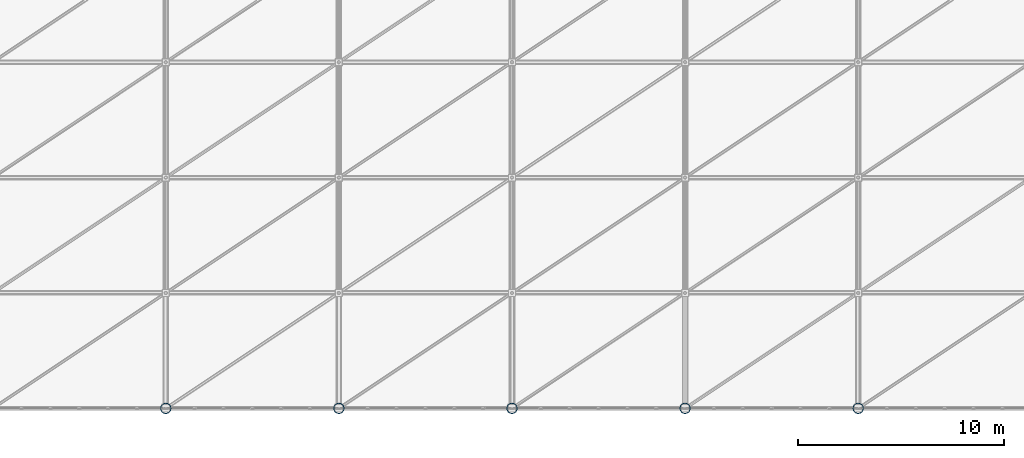
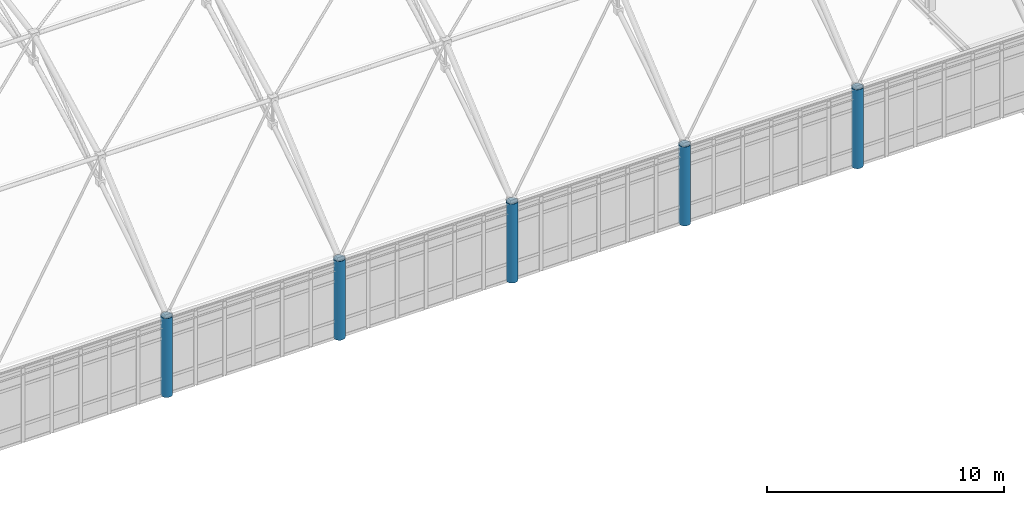
# One storey, part 5 of 184: 5 columns.
"""IFC4 building model written with IfcOpenShell, lengths in metres."""

import ifcopenshell
import ifcopenshell.guid

model = None  # the IFC model being written
_history = None  # IfcOwnerHistory: only IFC2X3 demands one
_inside = {}  # id of a spatial element -> (the spatial element, [elements in it])
_under = {}  # id of a project, library or spatial element -> (it, [spatial elements below it])
_declared = {}  # id of a project -> (the project, [libraries it declares])
_typed = {}  # id of a type object -> (the type object, [elements of that type])
_made_of = {}  # id of a material, layer set ... -> (it, [elements and type objects made of it])


def new_model(schema):
    """Start an empty IFC model of exactly this schema.

    Asked for "IFC4X3", IfcOpenShell would pick the latest addendum, in which some entities
    have other attributes; the version numbers below select the first issue.
    IFC2X3 requires an IfcOwnerHistory on every rooted entity: one is made here for all.
    """
    global model, _history
    if schema == "IFC4X3":
        model = ifcopenshell.file(schema_version=(4, 3, 0, 0))
    else:
        model = ifcopenshell.file(schema=schema)
    _inside.clear()
    _under.clear()
    _declared.clear()
    _typed.clear()
    _made_of.clear()
    _history = None
    if model.schema == "IFC2X3":
        org = make("IfcOrganization", Name="unknown")
        user = make(
            "IfcPersonAndOrganization",
            ThePerson=make("IfcPerson", FamilyName="unknown"),
            TheOrganization=org,
        )
        app = make(
            "IfcApplication",
            ApplicationDeveloper=org,
            Version="unknown",
            ApplicationFullName="unknown",
            ApplicationIdentifier="unknown",
        )
        _history = make(
            "IfcOwnerHistory",
            OwningUser=user,
            OwningApplication=app,
            ChangeAction="ADDED",
            CreationDate=0,
        )
    return model


def make(cls, **values):
    """One entity of the class cls with the attributes given. An attribute that is None is left unset."""
    return model.create_entity(
        cls, **{name: value for name, value in values.items() if value is not None}
    )


def rooted(cls, **values):
    """An entity with a GlobalId (a new one), such as an element, a storey or a relation."""
    return make(cls, GlobalId=ifcopenshell.guid.new(), OwnerHistory=_history, **values)


def si_unit(unit_type, name, prefix=None):
    """IfcSIUnit, for example si_unit("LENGTHUNIT", "METRE", prefix="MILLI")."""
    return make("IfcSIUnit", UnitType=unit_type, Prefix=prefix, Name=name)


def assignment(units):
    """IfcUnitAssignment: the units of a project."""
    return None if units is None else make("IfcUnitAssignment", Units=units)


def point(xyz):
    """IfcCartesianPoint."""
    return None if xyz is None else make("IfcCartesianPoint", Coordinates=xyz)


def direction(xyz):
    """IfcDirection."""
    return None if xyz is None else make("IfcDirection", DirectionRatios=xyz)


def frame(location, z_axis=None, x_axis=None):
    """IfcAxis2Placement3D, a coordinate frame: its origin and axes. An axis left out is left unset."""
    return make(
        "IfcAxis2Placement3D",
        Location=point(location),
        Axis=direction(z_axis),
        RefDirection=direction(x_axis),
    )


def frame_2d(location, x_axis=None):
    """IfcAxis2Placement2D, a coordinate frame in the plane: its origin and x axis."""
    return make(
        "IfcAxis2Placement2D", Location=point(location), RefDirection=direction(x_axis)
    )


def origin():
    """The frame at (0, 0, 0) with its axes left unset."""
    return frame((0.0, 0.0, 0.0))


def origin_2d():
    """The frame at (0, 0) in the plane with its x axis left unset."""
    return frame_2d((0.0, 0.0))


def place(relative_to, where):
    """IfcLocalPlacement: puts the frame where relative to a parent placement (None: the world)."""
    return make(
        "IfcLocalPlacement", PlacementRelTo=relative_to, RelativePlacement=where
    )


def context(
    kind, dimensions, precision=None, world=None, true_north=None, identifier=None
):
    """IfcGeometricRepresentationContext, for example the 3D "Model" context."""
    return make(
        "IfcGeometricRepresentationContext",
        ContextIdentifier=identifier,
        ContextType=kind,
        CoordinateSpaceDimension=dimensions,
        Precision=precision,
        WorldCoordinateSystem=world,
        TrueNorth=true_north,
    )


def subcontext(parent, identifier, kind, view, scale=None):
    """IfcGeometricRepresentationSubContext, for example "Body" below "Model"."""
    return make(
        "IfcGeometricRepresentationSubContext",
        ContextIdentifier=identifier,
        ContextType=kind,
        ParentContext=parent,
        TargetScale=scale,
        TargetView=view,
    )


def project(units=None, contexts=None):
    """IfcProject with its units and contexts."""
    return rooted(
        "IfcProject",
        Name="project",
        RepresentationContexts=contexts,
        UnitsInContext=assignment(units),
    )


def spatial(cls, under=None, at=None, **own):
    """A site, building, storey or space (cls), placed at a placement, below another one or the project."""
    s = rooted(cls, ObjectPlacement=at, **own)
    if under is not None:
        _under.setdefault(under.id(), (under, []))[1].append(s)
    return s


def profile(cls, at=None, kind="AREA", **sizes):
    """A parametric profile (cls). Its sizes go by their IFC names, for example OverallWidth=200.0."""
    return make(cls, ProfileType=kind, Position=at, **sizes)


def hollow_circle(**sizes):
    """IfcCircleHollowProfileDef."""
    return profile("IfcCircleHollowProfileDef", **sizes)


def extrude(swept, where, along, depth):
    """IfcExtrudedAreaSolid: the profile swept, set in the frame where, extruded along a direction by depth."""
    return make(
        "IfcExtrudedAreaSolid",
        SweptArea=swept,
        Position=where,
        ExtrudedDirection=direction(along),
        Depth=depth,
    )


def shape(context_of_items, identifier, shape_type, items):
    """IfcShapeRepresentation: the items that make up one representation, for example the "Body"."""
    return make(
        "IfcShapeRepresentation",
        ContextOfItems=context_of_items,
        RepresentationIdentifier=identifier,
        RepresentationType=shape_type,
        Items=items,
    )


def material(Name=None, Category=None):
    """IfcMaterial."""
    return make("IfcMaterial", Name=Name, Category=Category)


def material_profile(
    of_material, cross_section, Name=None, Category=None, Priority=None
):
    """IfcMaterialProfile: a cross section and its material."""
    return make(
        "IfcMaterialProfile",
        Name=Name,
        Material=of_material,
        Profile=cross_section,
        Priority=Priority,
        Category=Category,
    )


def profile_set(profiles, Name=None, composite=None):
    """IfcMaterialProfileSet."""
    return make(
        "IfcMaterialProfileSet",
        Name=Name,
        MaterialProfiles=profiles,
        CompositeProfile=composite,
    )


def made_of(thing, what):
    """Note that an element or type object is made of a material, layer set ...; save() writes the relation."""
    if what is not None:
        _made_of.setdefault(what.id(), (what, []))[1].append(thing)
    return thing


def type_object(cls, material=None, **own):
    """A type object (cls), such as IfcWallType, which elements share."""
    return made_of(rooted(cls, **own), material)


def element(
    cls,
    number,
    at=None,
    inside=None,
    cuts=None,
    type_object=None,
    material=None,
    context=None,
    identifier="Body",
    shape_type=None,
    held_by="IfcProductDefinitionShape",
    body=None,
    shapes=None,
    **own,
):
    """One element of the class cls, such as IfcWall. Its Tag is "e" and its number.

    at: its placement. inside: the storey or other place that contains it. cuts: it is an
    opening in that element (IfcRelVoidsElement). A single representation is given by context,
    identifier, shape_type and body (its items); several are given by shapes. held_by: the class
    of the entity that holds the representations. save() writes the other relations.
    """
    e = rooted(cls, Tag="e%d" % number, ObjectPlacement=at, **own)
    if body is not None:
        shapes = [shape(context, identifier, shape_type, body)]
    if shapes is not None:
        e.Representation = make(held_by, Representations=shapes)
    if inside is not None:
        _inside.setdefault(inside.id(), (inside, []))[1].append(e)
    if cuts is not None:
        rooted(
            "IfcRelVoidsElement", RelatingBuildingElement=cuts, RelatedOpeningElement=e
        )
    if type_object is not None:
        _typed.setdefault(type_object.id(), (type_object, []))[1].append(e)
    return made_of(e, material)


def aggregate(whole, parts):
    """IfcRelAggregates: a whole, such as a stair, and the parts it consists of."""
    return rooted("IfcRelAggregates", RelatingObject=whole, RelatedObjects=parts)


def save(model, path):
    """Write the relations noted so far, then the file.

    IfcRelAggregates (storeys below a building ...), IfcRelContainedInSpatialStructure (elements
    in a storey), IfcRelDefinesByType, IfcRelAssociatesMaterial and IfcRelDeclares: one each for
    every whole, place, type object, material and project.
    """
    for whole, parts in _under.values():
        aggregate(whole, parts)
    for where, things in _inside.values():
        rooted(
            "IfcRelContainedInSpatialStructure",
            RelatedElements=things,
            RelatingStructure=where,
        )
    for kind, things in _typed.values():
        rooted("IfcRelDefinesByType", RelatedObjects=things, RelatingType=kind)
    for what, things in _made_of.values():
        rooted("IfcRelAssociatesMaterial", RelatedObjects=things, RelatingMaterial=what)
    for by, libraries in _declared.values():
        rooted("IfcRelDeclares", RelatingContext=by, RelatedDefinitions=libraries)
    model.write(path)


model = new_model("IFC4")

# Units and contexts
model_context = context("Model", 3, precision=1e-05, world=origin(), true_north=direction((0.0, 1.0)))
body_context = subcontext(model_context, "Body", "Model", "MODEL_VIEW")
ifc_project = project(units=[si_unit("LENGTHUNIT", "METRE"), si_unit("AREAUNIT", "SQUARE_METRE"), si_unit("VOLUMEUNIT", "CUBIC_METRE"), si_unit("PLANEANGLEUNIT", "RADIAN"), si_unit("MASSUNIT", "GRAM", prefix="KILO")], contexts=[model_context])

# Site, building, storey
site_placement = place(None, origin())
site = spatial("IfcSite", under=ifc_project, at=site_placement, CompositionType="ELEMENT")
building_placement = place(site_placement, origin())
building = spatial("IfcBuilding", under=site, at=building_placement, Name="Qalvenar Corner Mobility Hub", CompositionType="ELEMENT")
storey_placement = place(building_placement, frame((0.0, 0.0, 9.0)))
storey = spatial("IfcBuildingStorey", under=building, at=storey_placement, Name="L02", CompositionType="ELEMENT", Elevation=9.0)

# Columns
ifc_material = material(Name="Steel S355", Category="steel")
ifc_material_profile = material_profile(ifc_material, hollow_circle(Radius=0.25390625, WallThickness=0.01611328125, at=origin_2d()), Name="CHS508x16")
ifc_profile_set = profile_set([ifc_material_profile], Name="Steel S355")
column_type = type_object("IfcColumnType", Name="COL-CHS508", PredefinedType="COLUMN", material=ifc_profile_set)
for number, where, z_axis, x_axis, name in (
    (1, (67.199951171875, 0.0, 0.0), (0.0, 0.0, 1.0), (1.0, 0.0, 0.0), "Steel Column L02-G9-0"),
    (2, (75.60009765625, 0.0, 0.0), (0.0, 0.0, 1.0), (1.0, 0.0, 0.0), "Steel Column L02-G10-0"),
    (3, (84.0, 0.0, 0.0), (0.0, 0.0, 1.0), (1.0, 0.0, 0.0), "Steel Column L02-G11-0"),
    (4, (92.39990234375, 0.0, 0.0), (0.0, 0.0, 1.0), (1.0, 0.0, 0.0), "Steel Column L02-G12-0"),
    (5, (100.800048828125, 0.0, 0.0), (0.0, 0.0, 1.0), (1.0, 0.0, 0.0), "Steel Column L02-G13-0"),
):
    element("IfcColumn", number, at=place(storey_placement, frame(where, z_axis=z_axis, x_axis=x_axis)), inside=storey, type_object=column_type, Name=name, PredefinedType="COLUMN", context=body_context, shape_type="SweptSolid", body=[
        extrude(hollow_circle(Radius=0.25390625, WallThickness=0.01611328125, at=origin_2d()), origin(), (0.0, 0.0, 1.0), 4.06005859375),
    ])

save(model, "model.ifc")
